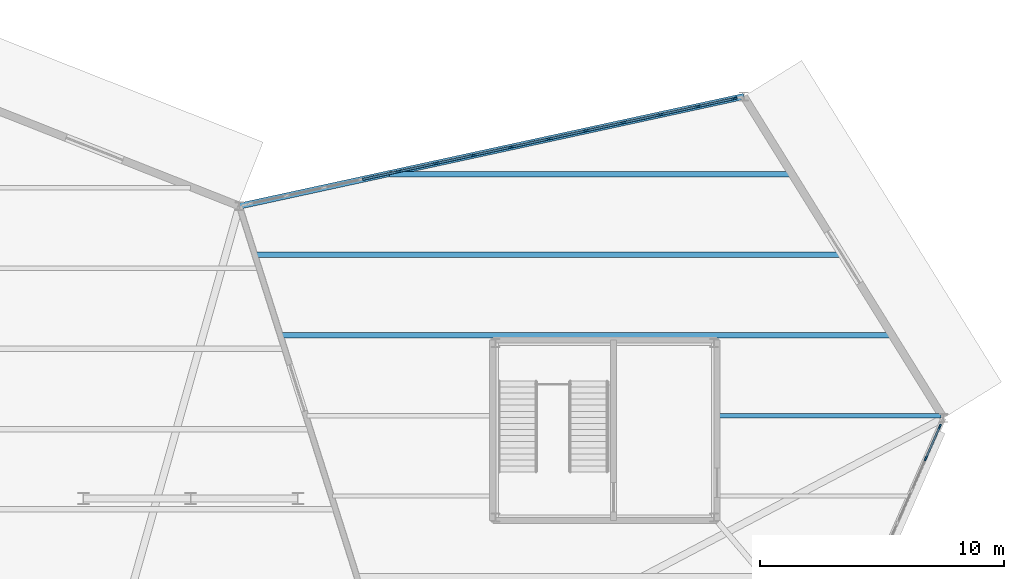
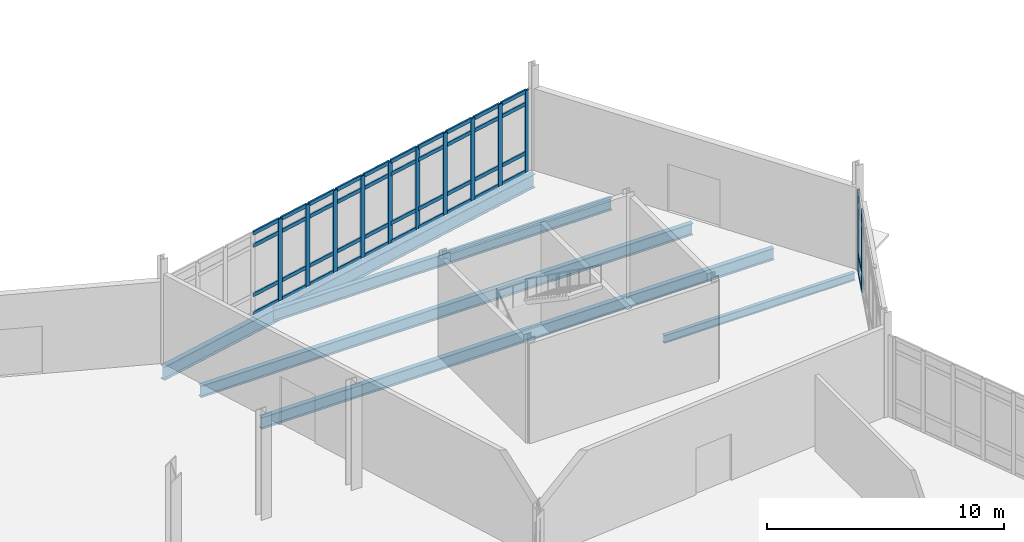
# One storey, part 60 of 113: 54 members, 5 beams, 2 elements without a shape of their own.
"""IFC4 building model written with IfcOpenShell, lengths in metres."""

from ifc_helpers import new_model, si_unit, direction, frame, origin, origin_2d, place, context, subcontext, project, spatial, rectangle, i_section, extrude, material, material_profile, profile_set, type_object, element, aggregate, save


model = new_model("IFC4")

# Units and contexts
model_context = context("Model", 3, precision=1e-05, world=origin(), true_north=direction((0.0, 1.0)))
body_context = subcontext(model_context, "Body", "Model", "MODEL_VIEW")
ifc_project = project(units=[si_unit("LENGTHUNIT", "METRE"), si_unit("AREAUNIT", "SQUARE_METRE"), si_unit("VOLUMEUNIT", "CUBIC_METRE"), si_unit("PLANEANGLEUNIT", "RADIAN"), si_unit("MASSUNIT", "GRAM", prefix="KILO")], contexts=[model_context])

# Site, building, storey
site_placement = place(None, origin())
site = spatial("IfcSite", under=ifc_project, at=site_placement, CompositionType="ELEMENT")
building_placement = place(site_placement, origin())
building = spatial("IfcBuilding", under=site, at=building_placement, Name="Tameran Prism Museum", CompositionType="ELEMENT")
storey_placement = place(building_placement, origin())
storey = spatial("IfcBuildingStorey", under=building, at=storey_placement, Name="L00", CompositionType="ELEMENT", Elevation=0.0)

# Beams
ifc_material_1 = material(Name="Steel Grade 300PLUS (300 MPa)", Category="steel")
ifc_material_profile_1 = material_profile(ifc_material_1, i_section(OverallWidth=0.177978515625, OverallDepth=0.403076171875, WebThickness=0.007568359375, FlangeThickness=0.010986328125, FilletRadius=0.011474609375, at=origin_2d()))
ifc_profile_set_1 = profile_set([ifc_material_profile_1])
beam_type_1 = type_object("IfcBeamType", Name="BM-J410B", PredefinedType="JOIST", material=ifc_profile_set_1)
beam_1_placement = place(storey_placement, frame((156.97998046875, 34.10009765625, -0.44140625), z_axis=(1.0, 0.0, 0.0), x_axis=(0.0, 1.0, 0.0)))
element("IfcBeam", 1, at=beam_1_placement, inside=storey, type_object=beam_type_1, Name="Floor Beam BM-0321", PredefinedType="JOIST", context=body_context, shape_type="SweptSolid", body=[
    extrude(i_section(OverallWidth=0.177978515625, OverallDepth=0.403076171875, WebThickness=0.007568359375, FlangeThickness=0.010986328125, FilletRadius=0.011474609375, at=origin_2d()), origin(), (0.0, 0.0, 1.0), 9.31103515625),
])
ifc_material_2 = material(Name="Steel Grade 350 (350 MPa)", Category="steel")
ifc_material_profile_2 = material_profile(ifc_material_2, i_section(OverallWidth=0.25, OverallDepth=0.699951171875, WebThickness=0.010009765625, FlangeThickness=0.02001953125, at=origin_2d()))
ifc_profile_set_2 = profile_set([ifc_material_profile_2])
beam_type_2 = type_object("IfcBeamType", Name="BM-SP700", PredefinedType="SPANDREL", material=ifc_profile_set_2)
beam_2_placement = place(storey_placement, frame((158.199951171875, 47.199951171875, -0.590087890625), z_axis=(-0.977176259906, -0.212430122809, 0.0), x_axis=(0.212430122809, -0.977176259906, 0.0)))
element("IfcBeam", 2, at=beam_2_placement, inside=storey, type_object=beam_type_2, Name="Perimeter Spandrel SP-0097", PredefinedType="SPANDREL", context=body_context, shape_type="SweptSolid", body=[
    extrude(i_section(OverallWidth=0.25, OverallDepth=0.699951171875, WebThickness=0.010009765625, FlangeThickness=0.02001953125, at=origin_2d()), origin(), (0.0, 0.0, 1.0), 21.183349609375),
])
ifc_material_3 = material(Name="Steel Grade 300PLUS (300 MPa)", Category="steel")
ifc_material_profile_3 = material_profile(ifc_material_3, i_section(OverallWidth=0.22802734375, OverallDepth=0.60693359375, WebThickness=0.01123046875, FlangeThickness=0.017333984375, FilletRadius=0.013916015625, at=origin_2d()))
ifc_profile_set_3 = profile_set([ifc_material_profile_3])
beam_type_3 = type_object("IfcBeamType", Name="BM-UB610B", PredefinedType="BEAM", material=ifc_profile_set_3)
beam_3_placement = place(storey_placement, frame((139.221923828125, 37.39990234375, -0.54345703125), z_axis=(1.0, 0.0, 0.0), x_axis=(0.0, 1.0, 0.0)))
element("IfcBeam", 3, at=beam_3_placement, inside=storey, type_object=beam_type_3, Name="Floor Beam BM-0322", PredefinedType="BEAM", context=body_context, shape_type="SweptSolid", body=[
    extrude(i_section(OverallWidth=0.22802734375, OverallDepth=0.60693359375, WebThickness=0.01123046875, FlangeThickness=0.017333984375, FilletRadius=0.013916015625, at=origin_2d()), origin(), (0.0, 0.0, 1.0), 25.01904296875),
])
beam_4_placement = place(storey_placement, frame((138.176025390625, 40.699951171875, -0.54345703125), z_axis=(1.0, 0.0, 0.0), x_axis=(0.0, 1.0, 0.0)))
element("IfcBeam", 4, at=beam_4_placement, inside=storey, type_object=beam_type_3, Name="Floor Beam BM-0323", PredefinedType="BEAM", context=body_context, shape_type="SweptSolid", body=[
    extrude(i_section(OverallWidth=0.22802734375, OverallDepth=0.60693359375, WebThickness=0.01123046875, FlangeThickness=0.017333984375, FilletRadius=0.013916015625, at=origin_2d()), origin(), (0.0, 0.0, 1.0), 24.014892578125),
])
beam_5_placement = place(storey_placement, frame((143.66796875, 44.0, -0.54345703125), z_axis=(1.0, 0.0, 0.0), x_axis=(0.0, 1.0, 0.0)))
element("IfcBeam", 5, at=beam_5_placement, inside=storey, type_object=beam_type_3, Name="Floor Beam BM-0324", PredefinedType="BEAM", context=body_context, shape_type="SweptSolid", body=[
    extrude(i_section(OverallWidth=0.22802734375, OverallDepth=0.60693359375, WebThickness=0.01123046875, FlangeThickness=0.017333984375, FilletRadius=0.013916015625, at=origin_2d()), origin(), (0.0, 0.0, 1.0), 16.47314453125),
])

# Curtain wall, members
ifc_material_4 = material(Name="Anodised Aluminium 6063-T6 and Cyclone Solar Glass", Category="aluminium")
curtain_wall_type_1 = type_object("IfcCurtainWallType", Name="CW-FAC-1016x422", PredefinedType="USERDEFINED", material=ifc_material_4)
curtain_wall_1_placement = place(storey_placement, origin())
curtain_wall_1 = element("IfcCurtainWall", 6, at=curtain_wall_1_placement, inside=storey, type_object=curtain_wall_type_1, Name="Unitised Curtain Wall CW-053", ObjectType="UNITISED CURTAIN WALL", PredefinedType="USERDEFINED")
ifc_material_5 = material(Name="Anodised Aluminium Alloy 6063-T6", Category="aluminium")
ifc_material_profile_4 = material_profile(ifc_material_5, rectangle(XDim=0.074951171875, YDim=0.199951171875, at=origin_2d()))
ifc_profile_set_4 = profile_set([ifc_material_profile_4])
member_type_1 = type_object("IfcMemberType", Name="CW-MUL-C", PredefinedType="MULLION", material=ifc_profile_set_4)
member_1_placement = place(storey_placement, frame((166.243896484375, 33.645751953125, 0.0), z_axis=(0.0, 0.0, 1.0), x_axis=(0.915322284668, -0.402722131488, 0.0)))
member_1 = element("IfcMember", 7, at=member_1_placement, type_object=member_type_1, Name="CW-053 mullion 1", PredefinedType="MULLION", context=body_context, shape_type="SweptSolid", body=[
    extrude(rectangle(XDim=0.074951171875, YDim=0.199951171875, at=origin_2d()), origin(), (0.0, 0.0, 1.0), 4.219970703125),
])
member_2_placement = place(storey_placement, frame((165.674072265625, 32.350830078125, 0.0), z_axis=(0.0, 0.0, 1.0), x_axis=(0.915322284668, -0.402722131488, 0.0)))
member_2 = element("IfcMember", 8, at=member_2_placement, type_object=member_type_1, Name="CW-053 mullion 2", PredefinedType="MULLION", context=body_context, shape_type="SweptSolid", body=[
    extrude(rectangle(XDim=0.074951171875, YDim=0.199951171875, at=origin_2d()), origin(), (0.0, 0.0, 1.0), 4.219970703125),
])

ifc_material_6 = material(Name="Anodised Aluminium 6063-T6 and Cyclone Solar Glass", Category="aluminium")
curtain_wall_type_2 = type_object("IfcCurtainWallType", Name="CW-FAC-2042x422", PredefinedType="USERDEFINED", material=ifc_material_6)
curtain_wall_2_placement = place(storey_placement, origin())
curtain_wall_2 = element("IfcCurtainWall", 9, at=curtain_wall_2_placement, inside=storey, type_object=curtain_wall_type_2, Name="Unitised Curtain Wall CW-054", ObjectType="UNITISED CURTAIN WALL", PredefinedType="USERDEFINED")
ifc_material_7 = material(Name="Anodised Aluminium Alloy 6063-T6", Category="aluminium")
ifc_material_profile_5 = material_profile(ifc_material_7, rectangle(XDim=0.080078125, YDim=0.219970703125, at=origin_2d()))
ifc_profile_set_5 = profile_set([ifc_material_profile_5])
member_type_2 = type_object("IfcMemberType", Name="CW-MUL-D", PredefinedType="MULLION", material=ifc_profile_set_5)
member_3_placement = place(storey_placement, frame((144.04150390625, 44.1220703125, 0.0), z_axis=(0.0, 0.0, 1.0), x_axis=(-0.212454037801, 0.977171060676, 0.0)))
member_3 = element("IfcMember", 10, at=member_3_placement, type_object=member_type_2, Name="CW-054 mullion 5", PredefinedType="MULLION", context=body_context, shape_type="SweptSolid", body=[
    extrude(rectangle(XDim=0.080078125, YDim=0.219970703125, at=origin_2d()), origin(), (0.0, 0.0, 1.0), 4.219970703125),
])
member_4_placement = place(storey_placement, frame((145.57666015625, 44.455810546875, 0.0), z_axis=(0.0, 0.0, 1.0), x_axis=(-0.212454037801, 0.977171060676, 0.0)))
member_4 = element("IfcMember", 11, at=member_4_placement, type_object=member_type_2, Name="CW-054 mullion 6", PredefinedType="MULLION", context=body_context, shape_type="SweptSolid", body=[
    extrude(rectangle(XDim=0.080078125, YDim=0.219970703125, at=origin_2d()), origin(), (0.0, 0.0, 1.0), 4.219970703125),
])
member_5_placement = place(storey_placement, frame((147.11181640625, 44.78955078125, 0.0), z_axis=(0.0, 0.0, 1.0), x_axis=(-0.212454037801, 0.977171060676, 0.0)))
member_5 = element("IfcMember", 12, at=member_5_placement, type_object=member_type_2, Name="CW-054 mullion 7", PredefinedType="MULLION", context=body_context, shape_type="SweptSolid", body=[
    extrude(rectangle(XDim=0.080078125, YDim=0.219970703125, at=origin_2d()), origin(), (0.0, 0.0, 1.0), 4.219970703125),
])
member_6_placement = place(storey_placement, frame((148.64697265625, 45.123291015625, 0.0), z_axis=(0.0, 0.0, 1.0), x_axis=(-0.212454037801, 0.977171060676, 0.0)))
member_6 = element("IfcMember", 13, at=member_6_placement, type_object=member_type_2, Name="CW-054 mullion 8", PredefinedType="MULLION", context=body_context, shape_type="SweptSolid", body=[
    extrude(rectangle(XDim=0.080078125, YDim=0.219970703125, at=origin_2d()), origin(), (0.0, 0.0, 1.0), 4.219970703125),
])
member_7_placement = place(storey_placement, frame((150.18212890625, 45.457275390625, 0.0), z_axis=(0.0, 0.0, 1.0), x_axis=(-0.212454037801, 0.977171060676, 0.0)))
member_7 = element("IfcMember", 14, at=member_7_placement, type_object=member_type_2, Name="CW-054 mullion 9", PredefinedType="MULLION", context=body_context, shape_type="SweptSolid", body=[
    extrude(rectangle(XDim=0.080078125, YDim=0.219970703125, at=origin_2d()), origin(), (0.0, 0.0, 1.0), 4.219970703125),
])
member_8_placement = place(storey_placement, frame((151.71728515625, 45.791015625, 0.0), z_axis=(0.0, 0.0, 1.0), x_axis=(-0.212454037801, 0.977171060676, 0.0)))
member_8 = element("IfcMember", 15, at=member_8_placement, type_object=member_type_2, Name="CW-054 mullion 10", PredefinedType="MULLION", context=body_context, shape_type="SweptSolid", body=[
    extrude(rectangle(XDim=0.080078125, YDim=0.219970703125, at=origin_2d()), origin(), (0.0, 0.0, 1.0), 4.219970703125),
])
member_9_placement = place(storey_placement, frame((153.25244140625, 46.124755859375, 0.0), z_axis=(0.0, 0.0, 1.0), x_axis=(-0.212454037801, 0.977171060676, 0.0)))
member_9 = element("IfcMember", 16, at=member_9_placement, type_object=member_type_2, Name="CW-054 mullion 11", PredefinedType="MULLION", context=body_context, shape_type="SweptSolid", body=[
    extrude(rectangle(XDim=0.080078125, YDim=0.219970703125, at=origin_2d()), origin(), (0.0, 0.0, 1.0), 4.219970703125),
])
member_10_placement = place(storey_placement, frame((154.78759765625, 46.45849609375, 0.0), z_axis=(0.0, 0.0, 1.0), x_axis=(-0.212454037801, 0.977171060676, 0.0)))
member_10 = element("IfcMember", 17, at=member_10_placement, type_object=member_type_2, Name="CW-054 mullion 12", PredefinedType="MULLION", context=body_context, shape_type="SweptSolid", body=[
    extrude(rectangle(XDim=0.080078125, YDim=0.219970703125, at=origin_2d()), origin(), (0.0, 0.0, 1.0), 4.219970703125),
])
member_11_placement = place(storey_placement, frame((156.32275390625, 46.792236328125, 0.0), z_axis=(0.0, 0.0, 1.0), x_axis=(-0.212454037801, 0.977171060676, 0.0)))
member_11 = element("IfcMember", 18, at=member_11_placement, type_object=member_type_2, Name="CW-054 mullion 13", PredefinedType="MULLION", context=body_context, shape_type="SweptSolid", body=[
    extrude(rectangle(XDim=0.080078125, YDim=0.219970703125, at=origin_2d()), origin(), (0.0, 0.0, 1.0), 4.219970703125),
])
member_12_placement = place(storey_placement, frame((157.81884765625, 47.117431640625, 0.0), z_axis=(0.0, 0.0, 1.0), x_axis=(-0.212454037801, 0.977171060676, 0.0)))
member_12 = element("IfcMember", 19, at=member_12_placement, type_object=member_type_2, Name="CW-054 mullion 14", PredefinedType="MULLION", context=body_context, shape_type="SweptSolid", body=[
    extrude(rectangle(XDim=0.080078125, YDim=0.219970703125, at=origin_2d()), origin(), (0.0, 0.0, 1.0), 4.219970703125),
])

# Member
ifc_material_8 = material(Name="Anodised Aluminium Alloy 6063-T6", Category="aluminium")
ifc_material_profile_6 = material_profile(ifc_material_8, rectangle(XDim=0.074951171875, YDim=0.175048828125, at=origin_2d()))
ifc_profile_set_6 = profile_set([ifc_material_profile_6])
member_type_3 = type_object("IfcMemberType", Name="CW-TRN-C", PredefinedType="USERDEFINED", material=ifc_profile_set_6)
member_13_placement = place(storey_placement, frame((166.228759765625, 33.611328125, 0.03759765625), z_axis=(-0.402720293839, -0.915323093192, 0.0), x_axis=(0.915323093192, -0.402720293839, 0.0)))
member_13 = element("IfcMember", 20, at=member_13_placement, type_object=member_type_3, Name="CW-053 transom 1.1", ObjectType="TRANSOM", PredefinedType="USERDEFINED", context=body_context, shape_type="SweptSolid", body=[
    extrude(rectangle(XDim=0.074951171875, YDim=0.175048828125, at=origin_2d()), origin(), (0.0, 0.0, 1.0), 1.33984375),
])

member_14_placement = place(storey_placement, frame((166.228759765625, 33.611328125, 1.0), z_axis=(-0.402720293839, -0.915323093192, 0.0), x_axis=(0.915323093192, -0.402720293839, 0.0)))
member_14 = element("IfcMember", 21, at=member_14_placement, type_object=member_type_3, Name="CW-053 transom 1.2", ObjectType="TRANSOM", PredefinedType="USERDEFINED", context=body_context, shape_type="SweptSolid", body=[
    extrude(rectangle(XDim=0.074951171875, YDim=0.175048828125, at=origin_2d()), origin(), (0.0, 0.0, 1.0), 1.33984375),
])

aggregate(curtain_wall_1, [member_1, member_2, member_13, member_14])

ifc_material_9 = material(Name="Anodised Aluminium Alloy 6063-T6", Category="aluminium")
ifc_material_profile_7 = material_profile(ifc_material_9, rectangle(XDim=0.080078125, YDim=0.195068359375, at=origin_2d()))
ifc_profile_set_7 = profile_set([ifc_material_profile_7])
member_type_4 = type_object("IfcMemberType", Name="CW-TRN-D", PredefinedType="USERDEFINED", material=ifc_profile_set_7)
member_15_placement = place(storey_placement, frame((142.545654296875, 43.796875, 0.0400390625), z_axis=(0.977182275617, 0.212402448714, 0.0), x_axis=(-0.212402448714, 0.977182275617, 0.0)))
member_15 = element("IfcMember", 22, at=member_15_placement, type_object=member_type_4, Name="CW-054 transom 4.1", ObjectType="TRANSOM", PredefinedType="USERDEFINED", context=body_context, shape_type="SweptSolid", body=[
    extrude(rectangle(XDim=0.080078125, YDim=0.195068359375, at=origin_2d()), origin(), (0.0, 0.0, 1.0), 1.49072265625),
])

member_16_placement = place(storey_placement, frame((142.545654296875, 43.796875, 1.0), z_axis=(0.977182275617, 0.212402448714, 0.0), x_axis=(-0.212402448714, 0.977182275617, 0.0)))
member_16 = element("IfcMember", 23, at=member_16_placement, type_object=member_type_4, Name="CW-054 transom 4.2", ObjectType="TRANSOM", PredefinedType="USERDEFINED", context=body_context, shape_type="SweptSolid", body=[
    extrude(rectangle(XDim=0.080078125, YDim=0.195068359375, at=origin_2d()), origin(), (0.0, 0.0, 1.0), 1.49072265625),
])

member_17_placement = place(storey_placement, frame((142.545654296875, 43.796875, 3.5400390625), z_axis=(0.977182275617, 0.212402448714, 0.0), x_axis=(-0.212402448714, 0.977182275617, 0.0)))
member_17 = element("IfcMember", 24, at=member_17_placement, type_object=member_type_4, Name="CW-054 transom 4.3", ObjectType="TRANSOM", PredefinedType="USERDEFINED", context=body_context, shape_type="SweptSolid", body=[
    extrude(rectangle(XDim=0.080078125, YDim=0.195068359375, at=origin_2d()), origin(), (0.0, 0.0, 1.0), 1.49072265625),
])

member_18_placement = place(storey_placement, frame((142.545654296875, 43.796875, 4.179931640625), z_axis=(0.977182275617, 0.212402448714, 0.0), x_axis=(-0.212402448714, 0.977182275617, 0.0)))
member_18 = element("IfcMember", 25, at=member_18_placement, type_object=member_type_4, Name="CW-054 transom 4.4", ObjectType="TRANSOM", PredefinedType="USERDEFINED", context=body_context, shape_type="SweptSolid", body=[
    extrude(rectangle(XDim=0.080078125, YDim=0.195068359375, at=origin_2d()), origin(), (0.0, 0.0, 1.0), 1.49072265625),
])

member_19_placement = place(storey_placement, frame((144.080810546875, 44.130615234375, 0.0400390625), z_axis=(0.977182275617, 0.212402448714, 0.0), x_axis=(-0.212402448714, 0.977182275617, 0.0)))
member_19 = element("IfcMember", 26, at=member_19_placement, type_object=member_type_4, Name="CW-054 transom 5.1", ObjectType="TRANSOM", PredefinedType="USERDEFINED", context=body_context, shape_type="SweptSolid", body=[
    extrude(rectangle(XDim=0.080078125, YDim=0.195068359375, at=origin_2d()), origin(), (0.0, 0.0, 1.0), 1.49072265625),
])

member_20_placement = place(storey_placement, frame((144.080810546875, 44.130615234375, 1.0), z_axis=(0.977182275617, 0.212402448714, 0.0), x_axis=(-0.212402448714, 0.977182275617, 0.0)))
member_20 = element("IfcMember", 27, at=member_20_placement, type_object=member_type_4, Name="CW-054 transom 5.2", ObjectType="TRANSOM", PredefinedType="USERDEFINED", context=body_context, shape_type="SweptSolid", body=[
    extrude(rectangle(XDim=0.080078125, YDim=0.195068359375, at=origin_2d()), origin(), (0.0, 0.0, 1.0), 1.49072265625),
])

member_21_placement = place(storey_placement, frame((144.080810546875, 44.130615234375, 3.5400390625), z_axis=(0.977182275617, 0.212402448714, 0.0), x_axis=(-0.212402448714, 0.977182275617, 0.0)))
member_21 = element("IfcMember", 28, at=member_21_placement, type_object=member_type_4, Name="CW-054 transom 5.3", ObjectType="TRANSOM", PredefinedType="USERDEFINED", context=body_context, shape_type="SweptSolid", body=[
    extrude(rectangle(XDim=0.080078125, YDim=0.195068359375, at=origin_2d()), origin(), (0.0, 0.0, 1.0), 1.49072265625),
])

member_22_placement = place(storey_placement, frame((144.080810546875, 44.130615234375, 4.179931640625), z_axis=(0.977182275617, 0.212402448714, 0.0), x_axis=(-0.212402448714, 0.977182275617, 0.0)))
member_22 = element("IfcMember", 29, at=member_22_placement, type_object=member_type_4, Name="CW-054 transom 5.4", ObjectType="TRANSOM", PredefinedType="USERDEFINED", context=body_context, shape_type="SweptSolid", body=[
    extrude(rectangle(XDim=0.080078125, YDim=0.195068359375, at=origin_2d()), origin(), (0.0, 0.0, 1.0), 1.49072265625),
])

member_23_placement = place(storey_placement, frame((145.615966796875, 44.46435546875, 0.0400390625), z_axis=(0.977182275617, 0.212402448714, 0.0), x_axis=(-0.212402448714, 0.977182275617, 0.0)))
member_23 = element("IfcMember", 30, at=member_23_placement, type_object=member_type_4, Name="CW-054 transom 6.1", ObjectType="TRANSOM", PredefinedType="USERDEFINED", context=body_context, shape_type="SweptSolid", body=[
    extrude(rectangle(XDim=0.080078125, YDim=0.195068359375, at=origin_2d()), origin(), (0.0, 0.0, 1.0), 1.49072265625),
])

member_24_placement = place(storey_placement, frame((145.615966796875, 44.46435546875, 1.0), z_axis=(0.977182275617, 0.212402448714, 0.0), x_axis=(-0.212402448714, 0.977182275617, 0.0)))
member_24 = element("IfcMember", 31, at=member_24_placement, type_object=member_type_4, Name="CW-054 transom 6.2", ObjectType="TRANSOM", PredefinedType="USERDEFINED", context=body_context, shape_type="SweptSolid", body=[
    extrude(rectangle(XDim=0.080078125, YDim=0.195068359375, at=origin_2d()), origin(), (0.0, 0.0, 1.0), 1.49072265625),
])

member_25_placement = place(storey_placement, frame((145.615966796875, 44.46435546875, 3.5400390625), z_axis=(0.977182275617, 0.212402448714, 0.0), x_axis=(-0.212402448714, 0.977182275617, 0.0)))
member_25 = element("IfcMember", 32, at=member_25_placement, type_object=member_type_4, Name="CW-054 transom 6.3", ObjectType="TRANSOM", PredefinedType="USERDEFINED", context=body_context, shape_type="SweptSolid", body=[
    extrude(rectangle(XDim=0.080078125, YDim=0.195068359375, at=origin_2d()), origin(), (0.0, 0.0, 1.0), 1.49072265625),
])

member_26_placement = place(storey_placement, frame((145.615966796875, 44.46435546875, 4.179931640625), z_axis=(0.977182275617, 0.212402448714, 0.0), x_axis=(-0.212402448714, 0.977182275617, 0.0)))
member_26 = element("IfcMember", 33, at=member_26_placement, type_object=member_type_4, Name="CW-054 transom 6.4", ObjectType="TRANSOM", PredefinedType="USERDEFINED", context=body_context, shape_type="SweptSolid", body=[
    extrude(rectangle(XDim=0.080078125, YDim=0.195068359375, at=origin_2d()), origin(), (0.0, 0.0, 1.0), 1.49072265625),
])

member_27_placement = place(storey_placement, frame((147.151123046875, 44.798095703125, 0.0400390625), z_axis=(0.977148274016, 0.212558816771, 0.0), x_axis=(-0.212558816771, 0.977148274016, 0.0)))
member_27 = element("IfcMember", 34, at=member_27_placement, type_object=member_type_4, Name="CW-054 transom 7.1", ObjectType="TRANSOM", PredefinedType="USERDEFINED", context=body_context, shape_type="SweptSolid", body=[
    extrude(rectangle(XDim=0.080078125, YDim=0.195068359375, at=origin_2d()), origin(), (0.0, 0.0, 1.0), 1.490966796875),
])

member_28_placement = place(storey_placement, frame((147.151123046875, 44.798095703125, 1.0), z_axis=(0.977148274016, 0.212558816771, 0.0), x_axis=(-0.212558816771, 0.977148274016, 0.0)))
member_28 = element("IfcMember", 35, at=member_28_placement, type_object=member_type_4, Name="CW-054 transom 7.2", ObjectType="TRANSOM", PredefinedType="USERDEFINED", context=body_context, shape_type="SweptSolid", body=[
    extrude(rectangle(XDim=0.080078125, YDim=0.195068359375, at=origin_2d()), origin(), (0.0, 0.0, 1.0), 1.490966796875),
])

member_29_placement = place(storey_placement, frame((147.151123046875, 44.798095703125, 3.5400390625), z_axis=(0.977148274016, 0.212558816771, 0.0), x_axis=(-0.212558816771, 0.977148274016, 0.0)))
member_29 = element("IfcMember", 36, at=member_29_placement, type_object=member_type_4, Name="CW-054 transom 7.3", ObjectType="TRANSOM", PredefinedType="USERDEFINED", context=body_context, shape_type="SweptSolid", body=[
    extrude(rectangle(XDim=0.080078125, YDim=0.195068359375, at=origin_2d()), origin(), (0.0, 0.0, 1.0), 1.490966796875),
])

member_30_placement = place(storey_placement, frame((147.151123046875, 44.798095703125, 4.179931640625), z_axis=(0.977148274016, 0.212558816771, 0.0), x_axis=(-0.212558816771, 0.977148274016, 0.0)))
member_30 = element("IfcMember", 37, at=member_30_placement, type_object=member_type_4, Name="CW-054 transom 7.4", ObjectType="TRANSOM", PredefinedType="USERDEFINED", context=body_context, shape_type="SweptSolid", body=[
    extrude(rectangle(XDim=0.080078125, YDim=0.195068359375, at=origin_2d()), origin(), (0.0, 0.0, 1.0), 1.490966796875),
])

member_31_placement = place(storey_placement, frame((148.686279296875, 45.1318359375, 0.0400390625), z_axis=(0.977148274016, 0.212558816771, 0.0), x_axis=(-0.212558816771, 0.977148274016, 0.0)))
member_31 = element("IfcMember", 38, at=member_31_placement, type_object=member_type_4, Name="CW-054 transom 8.1", ObjectType="TRANSOM", PredefinedType="USERDEFINED", context=body_context, shape_type="SweptSolid", body=[
    extrude(rectangle(XDim=0.080078125, YDim=0.195068359375, at=origin_2d()), origin(), (0.0, 0.0, 1.0), 1.490966796875),
])

member_32_placement = place(storey_placement, frame((148.686279296875, 45.1318359375, 1.0), z_axis=(0.977148274016, 0.212558816771, 0.0), x_axis=(-0.212558816771, 0.977148274016, 0.0)))
member_32 = element("IfcMember", 39, at=member_32_placement, type_object=member_type_4, Name="CW-054 transom 8.2", ObjectType="TRANSOM", PredefinedType="USERDEFINED", context=body_context, shape_type="SweptSolid", body=[
    extrude(rectangle(XDim=0.080078125, YDim=0.195068359375, at=origin_2d()), origin(), (0.0, 0.0, 1.0), 1.490966796875),
])

member_33_placement = place(storey_placement, frame((148.686279296875, 45.1318359375, 3.5400390625), z_axis=(0.977148274016, 0.212558816771, 0.0), x_axis=(-0.212558816771, 0.977148274016, 0.0)))
member_33 = element("IfcMember", 40, at=member_33_placement, type_object=member_type_4, Name="CW-054 transom 8.3", ObjectType="TRANSOM", PredefinedType="USERDEFINED", context=body_context, shape_type="SweptSolid", body=[
    extrude(rectangle(XDim=0.080078125, YDim=0.195068359375, at=origin_2d()), origin(), (0.0, 0.0, 1.0), 1.490966796875),
])

member_34_placement = place(storey_placement, frame((148.686279296875, 45.1318359375, 4.179931640625), z_axis=(0.977148274016, 0.212558816771, 0.0), x_axis=(-0.212558816771, 0.977148274016, 0.0)))
member_34 = element("IfcMember", 41, at=member_34_placement, type_object=member_type_4, Name="CW-054 transom 8.4", ObjectType="TRANSOM", PredefinedType="USERDEFINED", context=body_context, shape_type="SweptSolid", body=[
    extrude(rectangle(XDim=0.080078125, YDim=0.195068359375, at=origin_2d()), origin(), (0.0, 0.0, 1.0), 1.490966796875),
])

member_35_placement = place(storey_placement, frame((150.221435546875, 45.465576171875, 0.0400390625), z_axis=(0.977148274016, 0.212558816771, 0.0), x_axis=(-0.212558816771, 0.977148274016, 0.0)))
member_35 = element("IfcMember", 42, at=member_35_placement, type_object=member_type_4, Name="CW-054 transom 9.1", ObjectType="TRANSOM", PredefinedType="USERDEFINED", context=body_context, shape_type="SweptSolid", body=[
    extrude(rectangle(XDim=0.080078125, YDim=0.195068359375, at=origin_2d()), origin(), (0.0, 0.0, 1.0), 1.490966796875),
])

member_36_placement = place(storey_placement, frame((150.221435546875, 45.465576171875, 1.0), z_axis=(0.977148274016, 0.212558816771, 0.0), x_axis=(-0.212558816771, 0.977148274016, 0.0)))
member_36 = element("IfcMember", 43, at=member_36_placement, type_object=member_type_4, Name="CW-054 transom 9.2", ObjectType="TRANSOM", PredefinedType="USERDEFINED", context=body_context, shape_type="SweptSolid", body=[
    extrude(rectangle(XDim=0.080078125, YDim=0.195068359375, at=origin_2d()), origin(), (0.0, 0.0, 1.0), 1.490966796875),
])

member_37_placement = place(storey_placement, frame((150.221435546875, 45.465576171875, 3.5400390625), z_axis=(0.977148274016, 0.212558816771, 0.0), x_axis=(-0.212558816771, 0.977148274016, 0.0)))
member_37 = element("IfcMember", 44, at=member_37_placement, type_object=member_type_4, Name="CW-054 transom 9.3", ObjectType="TRANSOM", PredefinedType="USERDEFINED", context=body_context, shape_type="SweptSolid", body=[
    extrude(rectangle(XDim=0.080078125, YDim=0.195068359375, at=origin_2d()), origin(), (0.0, 0.0, 1.0), 1.490966796875),
])

member_38_placement = place(storey_placement, frame((150.221435546875, 45.465576171875, 4.179931640625), z_axis=(0.977148274016, 0.212558816771, 0.0), x_axis=(-0.212558816771, 0.977148274016, 0.0)))
member_38 = element("IfcMember", 45, at=member_38_placement, type_object=member_type_4, Name="CW-054 transom 9.4", ObjectType="TRANSOM", PredefinedType="USERDEFINED", context=body_context, shape_type="SweptSolid", body=[
    extrude(rectangle(XDim=0.080078125, YDim=0.195068359375, at=origin_2d()), origin(), (0.0, 0.0, 1.0), 1.490966796875),
])

member_39_placement = place(storey_placement, frame((151.756591796875, 45.79931640625, 0.0400390625), z_axis=(0.977148274016, 0.212558816771, 0.0), x_axis=(-0.212558816771, 0.977148274016, 0.0)))
member_39 = element("IfcMember", 46, at=member_39_placement, type_object=member_type_4, Name="CW-054 transom 10.1", ObjectType="TRANSOM", PredefinedType="USERDEFINED", context=body_context, shape_type="SweptSolid", body=[
    extrude(rectangle(XDim=0.080078125, YDim=0.195068359375, at=origin_2d()), origin(), (0.0, 0.0, 1.0), 1.490966796875),
])

member_40_placement = place(storey_placement, frame((151.756591796875, 45.79931640625, 1.0), z_axis=(0.977148274016, 0.212558816771, 0.0), x_axis=(-0.212558816771, 0.977148274016, 0.0)))
member_40 = element("IfcMember", 47, at=member_40_placement, type_object=member_type_4, Name="CW-054 transom 10.2", ObjectType="TRANSOM", PredefinedType="USERDEFINED", context=body_context, shape_type="SweptSolid", body=[
    extrude(rectangle(XDim=0.080078125, YDim=0.195068359375, at=origin_2d()), origin(), (0.0, 0.0, 1.0), 1.490966796875),
])

member_41_placement = place(storey_placement, frame((151.756591796875, 45.79931640625, 3.5400390625), z_axis=(0.977148274016, 0.212558816771, 0.0), x_axis=(-0.212558816771, 0.977148274016, 0.0)))
member_41 = element("IfcMember", 48, at=member_41_placement, type_object=member_type_4, Name="CW-054 transom 10.3", ObjectType="TRANSOM", PredefinedType="USERDEFINED", context=body_context, shape_type="SweptSolid", body=[
    extrude(rectangle(XDim=0.080078125, YDim=0.195068359375, at=origin_2d()), origin(), (0.0, 0.0, 1.0), 1.490966796875),
])

member_42_placement = place(storey_placement, frame((151.756591796875, 45.79931640625, 4.179931640625), z_axis=(0.977148274016, 0.212558816771, 0.0), x_axis=(-0.212558816771, 0.977148274016, 0.0)))
member_42 = element("IfcMember", 49, at=member_42_placement, type_object=member_type_4, Name="CW-054 transom 10.4", ObjectType="TRANSOM", PredefinedType="USERDEFINED", context=body_context, shape_type="SweptSolid", body=[
    extrude(rectangle(XDim=0.080078125, YDim=0.195068359375, at=origin_2d()), origin(), (0.0, 0.0, 1.0), 1.490966796875),
])

member_43_placement = place(storey_placement, frame((153.29150390625, 46.13330078125, 0.0400390625), z_axis=(0.977189662043, 0.212368463752, 0.0), x_axis=(-0.212368463752, 0.977189662043, 0.0)))
member_43 = element("IfcMember", 50, at=member_43_placement, type_object=member_type_4, Name="CW-054 transom 11.1", ObjectType="TRANSOM", PredefinedType="USERDEFINED", context=body_context, shape_type="SweptSolid", body=[
    extrude(rectangle(XDim=0.080078125, YDim=0.195068359375, at=origin_2d()), origin(), (0.0, 0.0, 1.0), 1.490966796875),
])

member_44_placement = place(storey_placement, frame((153.29150390625, 46.13330078125, 1.0), z_axis=(0.977189662043, 0.212368463752, 0.0), x_axis=(-0.212368463752, 0.977189662043, 0.0)))
member_44 = element("IfcMember", 51, at=member_44_placement, type_object=member_type_4, Name="CW-054 transom 11.2", ObjectType="TRANSOM", PredefinedType="USERDEFINED", context=body_context, shape_type="SweptSolid", body=[
    extrude(rectangle(XDim=0.080078125, YDim=0.195068359375, at=origin_2d()), origin(), (0.0, 0.0, 1.0), 1.490966796875),
])

member_45_placement = place(storey_placement, frame((153.29150390625, 46.13330078125, 3.5400390625), z_axis=(0.977189662043, 0.212368463752, 0.0), x_axis=(-0.212368463752, 0.977189662043, 0.0)))
member_45 = element("IfcMember", 52, at=member_45_placement, type_object=member_type_4, Name="CW-054 transom 11.3", ObjectType="TRANSOM", PredefinedType="USERDEFINED", context=body_context, shape_type="SweptSolid", body=[
    extrude(rectangle(XDim=0.080078125, YDim=0.195068359375, at=origin_2d()), origin(), (0.0, 0.0, 1.0), 1.490966796875),
])

member_46_placement = place(storey_placement, frame((153.29150390625, 46.13330078125, 4.179931640625), z_axis=(0.977189662043, 0.212368463752, 0.0), x_axis=(-0.212368463752, 0.977189662043, 0.0)))
member_46 = element("IfcMember", 53, at=member_46_placement, type_object=member_type_4, Name="CW-054 transom 11.4", ObjectType="TRANSOM", PredefinedType="USERDEFINED", context=body_context, shape_type="SweptSolid", body=[
    extrude(rectangle(XDim=0.080078125, YDim=0.195068359375, at=origin_2d()), origin(), (0.0, 0.0, 1.0), 1.490966796875),
])

member_47_placement = place(storey_placement, frame((154.82666015625, 46.467041015625, 0.0400390625), z_axis=(0.977189662043, 0.212368463752, 0.0), x_axis=(-0.212368463752, 0.977189662043, 0.0)))
member_47 = element("IfcMember", 54, at=member_47_placement, type_object=member_type_4, Name="CW-054 transom 12.1", ObjectType="TRANSOM", PredefinedType="USERDEFINED", context=body_context, shape_type="SweptSolid", body=[
    extrude(rectangle(XDim=0.080078125, YDim=0.195068359375, at=origin_2d()), origin(), (0.0, 0.0, 1.0), 1.490966796875),
])

member_48_placement = place(storey_placement, frame((154.82666015625, 46.467041015625, 1.0), z_axis=(0.977189662043, 0.212368463752, 0.0), x_axis=(-0.212368463752, 0.977189662043, 0.0)))
member_48 = element("IfcMember", 55, at=member_48_placement, type_object=member_type_4, Name="CW-054 transom 12.2", ObjectType="TRANSOM", PredefinedType="USERDEFINED", context=body_context, shape_type="SweptSolid", body=[
    extrude(rectangle(XDim=0.080078125, YDim=0.195068359375, at=origin_2d()), origin(), (0.0, 0.0, 1.0), 1.490966796875),
])

member_49_placement = place(storey_placement, frame((154.82666015625, 46.467041015625, 3.5400390625), z_axis=(0.977189662043, 0.212368463752, 0.0), x_axis=(-0.212368463752, 0.977189662043, 0.0)))
member_49 = element("IfcMember", 56, at=member_49_placement, type_object=member_type_4, Name="CW-054 transom 12.3", ObjectType="TRANSOM", PredefinedType="USERDEFINED", context=body_context, shape_type="SweptSolid", body=[
    extrude(rectangle(XDim=0.080078125, YDim=0.195068359375, at=origin_2d()), origin(), (0.0, 0.0, 1.0), 1.490966796875),
])

member_50_placement = place(storey_placement, frame((154.82666015625, 46.467041015625, 4.179931640625), z_axis=(0.977189662043, 0.212368463752, 0.0), x_axis=(-0.212368463752, 0.977189662043, 0.0)))
member_50 = element("IfcMember", 57, at=member_50_placement, type_object=member_type_4, Name="CW-054 transom 12.4", ObjectType="TRANSOM", PredefinedType="USERDEFINED", context=body_context, shape_type="SweptSolid", body=[
    extrude(rectangle(XDim=0.080078125, YDim=0.195068359375, at=origin_2d()), origin(), (0.0, 0.0, 1.0), 1.490966796875),
])

member_51_placement = place(storey_placement, frame((156.36181640625, 46.80078125, 0.0400390625), z_axis=(0.97719761809, 0.212331851589, 0.0), x_axis=(-0.212331851589, 0.97719761809, 0.0)))
member_51 = element("IfcMember", 58, at=member_51_placement, type_object=member_type_4, Name="CW-054 transom 13.1", ObjectType="TRANSOM", PredefinedType="USERDEFINED", context=body_context, shape_type="SweptSolid", body=[
    extrude(rectangle(XDim=0.080078125, YDim=0.195068359375, at=origin_2d()), origin(), (0.0, 0.0, 1.0), 1.451171875),
])

member_52_placement = place(storey_placement, frame((156.36181640625, 46.80078125, 1.0), z_axis=(0.97719761809, 0.212331851589, 0.0), x_axis=(-0.212331851589, 0.97719761809, 0.0)))
member_52 = element("IfcMember", 59, at=member_52_placement, type_object=member_type_4, Name="CW-054 transom 13.2", ObjectType="TRANSOM", PredefinedType="USERDEFINED", context=body_context, shape_type="SweptSolid", body=[
    extrude(rectangle(XDim=0.080078125, YDim=0.195068359375, at=origin_2d()), origin(), (0.0, 0.0, 1.0), 1.451171875),
])

member_53_placement = place(storey_placement, frame((156.36181640625, 46.80078125, 3.5400390625), z_axis=(0.97719761809, 0.212331851589, 0.0), x_axis=(-0.212331851589, 0.97719761809, 0.0)))
member_53 = element("IfcMember", 60, at=member_53_placement, type_object=member_type_4, Name="CW-054 transom 13.3", ObjectType="TRANSOM", PredefinedType="USERDEFINED", context=body_context, shape_type="SweptSolid", body=[
    extrude(rectangle(XDim=0.080078125, YDim=0.195068359375, at=origin_2d()), origin(), (0.0, 0.0, 1.0), 1.451171875),
])

member_54_placement = place(storey_placement, frame((156.36181640625, 46.80078125, 4.179931640625), z_axis=(0.97719761809, 0.212331851589, 0.0), x_axis=(-0.212331851589, 0.97719761809, 0.0)))
member_54 = element("IfcMember", 61, at=member_54_placement, type_object=member_type_4, Name="CW-054 transom 13.4", ObjectType="TRANSOM", PredefinedType="USERDEFINED", context=body_context, shape_type="SweptSolid", body=[
    extrude(rectangle(XDim=0.080078125, YDim=0.195068359375, at=origin_2d()), origin(), (0.0, 0.0, 1.0), 1.451171875),
])

aggregate(curtain_wall_2, [member_3, member_4, member_5, member_6, member_7, member_8, member_9, member_10, member_11, member_12, member_15, member_16, member_17, member_18, member_19, member_20, member_21, member_22, member_23, member_24, member_25, member_26, member_27, member_28, member_29, member_30, member_31, member_32, member_33, member_34, member_35, member_36, member_37, member_38, member_39, member_40, member_41, member_42, member_43, member_44, member_45, member_46, member_47, member_48, member_49, member_50, member_51, member_52, member_53, member_54])

save(model, "model.ifc")
